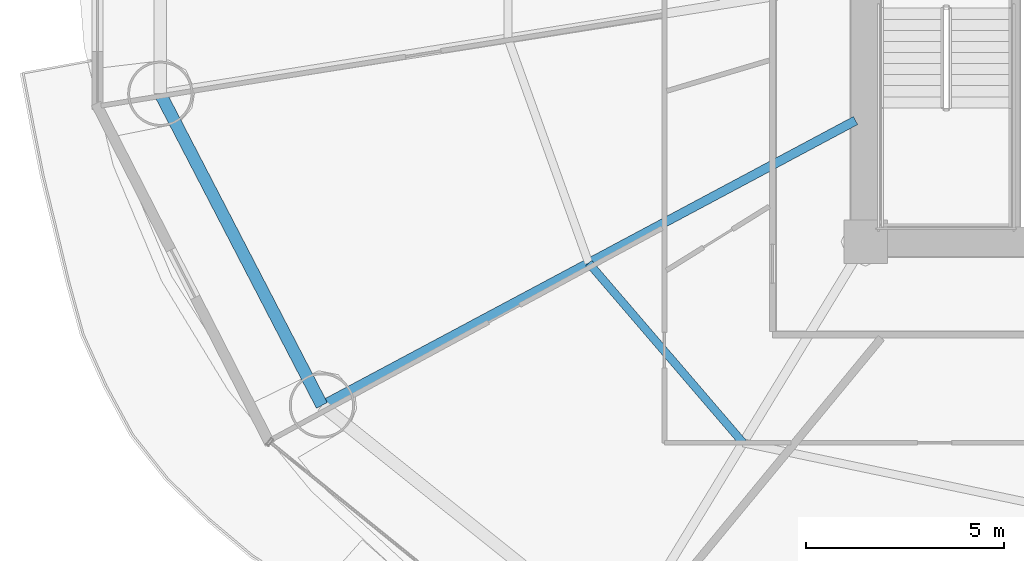
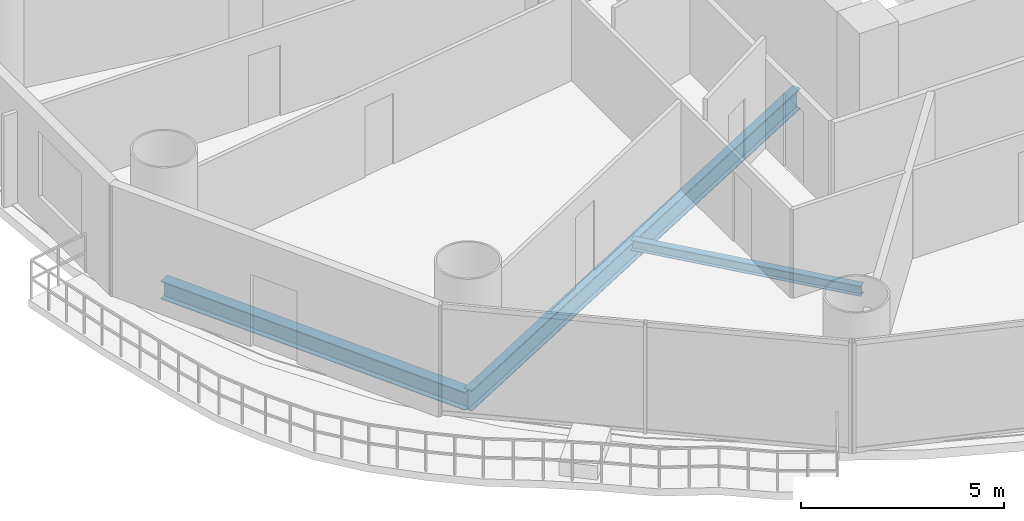
# One storey, part 3 of 28: 3 beams.
"""IFC4 building model written with IfcOpenShell, lengths in metres."""

from ifc_helpers import new_model, si_unit, direction, frame, origin, origin_2d, place, context, subcontext, project, spatial, i_section, extrude, material, material_profile, profile_set, type_object, element, save


model = new_model("IFC4")

# Units and contexts
model_context = context("Model", 3, precision=1e-05, world=origin(), true_north=direction((-0.2419218956, 0.970295726276)))
body_context = subcontext(model_context, "Body", "Model", "MODEL_VIEW")
ifc_project = project(units=[si_unit("LENGTHUNIT", "METRE"), si_unit("AREAUNIT", "SQUARE_METRE"), si_unit("VOLUMEUNIT", "CUBIC_METRE"), si_unit("PLANEANGLEUNIT", "RADIAN"), si_unit("MASSUNIT", "GRAM", prefix="KILO")], contexts=[model_context])

# Site, building, storey
site_placement = place(None, origin())
site = spatial("IfcSite", under=ifc_project, at=site_placement, CompositionType="ELEMENT")
building_placement = place(site_placement, origin())
building = spatial("IfcBuilding", under=site, at=building_placement, Name="Cobrevalo Terracotta Tower", CompositionType="ELEMENT")
storey_placement = place(building_placement, frame((0.0, 0.0, 38.39990234375)))
storey = spatial("IfcBuildingStorey", under=building, at=storey_placement, Name="L09", CompositionType="ELEMENT", Elevation=38.39990234375)

# Beams
ifc_material = material(Name="Steel S355", Category="steel")
ifc_material_profile_1 = material_profile(ifc_material, i_section(OverallWidth=0.22998046875, OverallDepth=0.616943359375, WebThickness=0.01318359375, FlangeThickness=0.022216796875, at=origin_2d()), Name="W 610x140")
ifc_profile_set_1 = profile_set([ifc_material_profile_1], Name="Steel S355")
beam_type_1 = type_object("IfcBeamType", Name="Structural Beam W 610x140 (Steel S355)", PredefinedType="BEAM", material=ifc_profile_set_1)
beam_1_placement = place(storey_placement, frame((15.25927734375, 14.660888671875, -0.58837890625), z_axis=(0.88218223571, 0.470908168329, 0.0), x_axis=(-0.470908168329, 0.88218223571, 0.0)))
element("IfcBeam", 1, at=beam_1_placement, inside=storey, type_object=beam_type_1, Name="L09 radial floor girder 10", PredefinedType="BEAM", context=body_context, shape_type="SweptSolid", body=[
    extrude(i_section(OverallWidth=0.22998046875, OverallDepth=0.616943359375, WebThickness=0.01318359375, FlangeThickness=0.022216796875, at=origin_2d()), origin(), (0.0, 0.0, 1.0), 15.286865234375),
])
ifc_material_profile_2 = material_profile(ifc_material, i_section(OverallWidth=0.2041015625, OverallDepth=0.305908203125, WebThickness=0.008544921875, FlangeThickness=0.0146484375, at=origin_2d()), Name="W 310x67")
ifc_profile_set_2 = profile_set([ifc_material_profile_2], Name="Steel S355")
beam_type_2 = type_object("IfcBeamType", Name="Structural Joist W 310x67 (Steel S355)", PredefinedType="JOIST", material=ifc_profile_set_2)
beam_2_placement = place(storey_placement, frame((22.002197265625, 18.26025390625, -0.432861328125), z_axis=(0.651328404454, -0.758795960421, 0.0), x_axis=(0.758795960421, 0.651328404454, 0.0)))
element("IfcBeam", 2, at=beam_2_placement, inside=storey, type_object=beam_type_2, Name="L09 circumferential secondary floor joist 10", PredefinedType="JOIST", context=body_context, shape_type="SweptSolid", body=[
    extrude(i_section(OverallWidth=0.2041015625, OverallDepth=0.305908203125, WebThickness=0.008544921875, FlangeThickness=0.0146484375, at=origin_2d()), origin(), (0.0, 0.0, 1.0), 5.98828125),
])
ifc_material_profile_3 = material_profile(ifc_material, i_section(OverallWidth=0.31201171875, OverallDepth=0.54296875, WebThickness=0.0126953125, FlangeThickness=0.020263671875, at=origin_2d()), Name="W 530x150")
ifc_profile_set_3 = profile_set([ifc_material_profile_3], Name="Steel S355")
beam_type_3 = type_object("IfcBeamType", Name="Structural Spandrel W 530x150 (Steel S355)", PredefinedType="SPANDREL", material=ifc_profile_set_3)
beam_3_placement = place(storey_placement, frame((11.175537109375, 22.537353515625, -0.551513671875), z_axis=(0.460285838799, -0.88777077368, 0.0), x_axis=(0.88777077368, 0.460285838799, 0.0)))
element("IfcBeam", 3, at=beam_3_placement, inside=storey, type_object=beam_type_3, Name="L09 perimeter ring spandrel 09", PredefinedType="SPANDREL", context=body_context, shape_type="SweptSolid", body=[
    extrude(i_section(OverallWidth=0.31201171875, OverallDepth=0.54296875, WebThickness=0.0126953125, FlangeThickness=0.020263671875, at=origin_2d()), origin(), (0.0, 0.0, 1.0), 8.8720703125),
])

save(model, "model.ifc")
